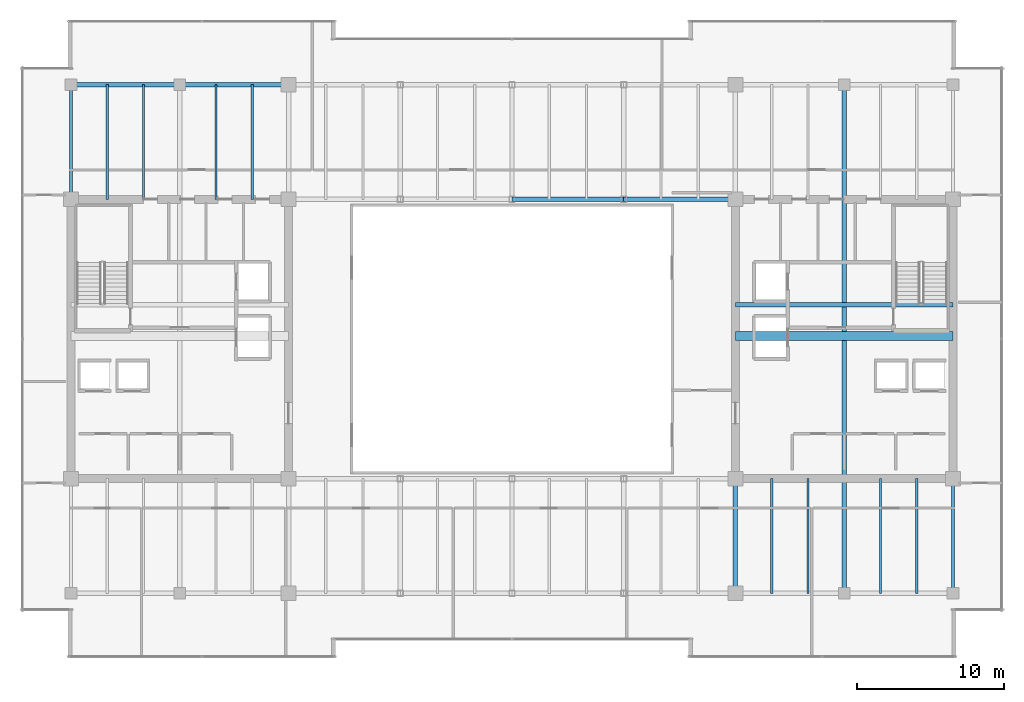
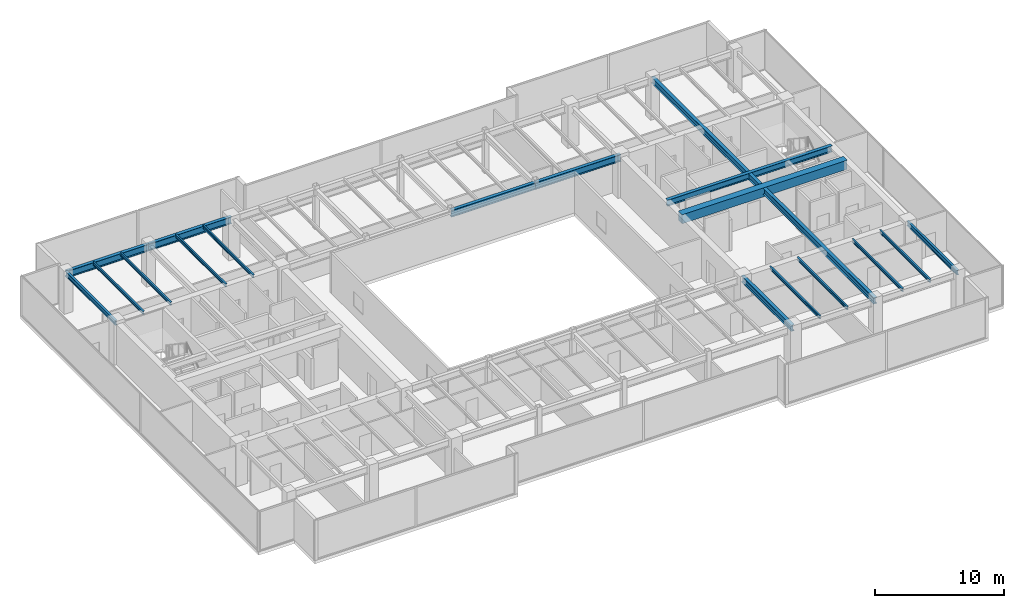
# One storey, part 14 of 33: 18 beams.
"""IFC4 building model written with IfcOpenShell, lengths in metres."""

from ifc_helpers import new_model, si_unit, direction, frame, origin, origin_2d, place, context, subcontext, project, spatial, rectangle, i_section, extrude, source, transform, mapped, material, material_profile, profile_set, type_object, type_shapes, element, save


model = new_model("IFC4")

# Units and contexts
model_context = context("Model", 3, precision=1e-05, world=origin(), true_north=direction((0.0, 1.0)))
body_context = subcontext(model_context, "Body", "Model", "MODEL_VIEW")
ifc_project = project(units=[si_unit("LENGTHUNIT", "METRE"), si_unit("AREAUNIT", "SQUARE_METRE"), si_unit("VOLUMEUNIT", "CUBIC_METRE"), si_unit("PLANEANGLEUNIT", "RADIAN"), si_unit("MASSUNIT", "GRAM", prefix="KILO")], contexts=[model_context])

# Site, building, storey
site_placement = place(None, origin())
site = spatial("IfcSite", under=ifc_project, at=site_placement, CompositionType="ELEMENT")
building_placement = place(site_placement, origin())
building = spatial("IfcBuilding", under=site, at=building_placement, Name="Haelvirn Gate Laboratories", CompositionType="ELEMENT")
storey_placement = place(building_placement, frame((0.0, 0.0, 209.60009765625)))
storey = spatial("IfcBuildingStorey", under=building, at=storey_placement, Name="L50", CompositionType="ELEMENT", Elevation=209.60009765625)

# Beams
ifc_material_1 = material(Name="Steel SM355", Category="steel")
ifc_material_profile_1 = material_profile(ifc_material_1, i_section(OverallWidth=0.300048828125, OverallDepth=0.587890625, WebThickness=0.011962890625, FlangeThickness=0.02001953125, at=origin_2d()), Name="H-588x300x12x20")
ifc_profile_set_1 = profile_set([ifc_material_profile_1], Name="Steel SM355")
beam_type_1 = type_object("IfcBeamType", Name="BM-G-588", PredefinedType="BEAM", material=ifc_profile_set_1)
shared_shape_1 = source(origin(), body_context, "Body", "SweptSolid", [
    extrude(i_section(OverallWidth=0.300048828125, OverallDepth=0.587890625, WebThickness=0.011962890625, FlangeThickness=0.02001953125, at=origin_2d()), origin(), (0.0, 0.0, 1.0), 14.7998046875),
])
beam_1_placement = place(storey_placement, frame((52.60009765625, 26.6201171875, 3.505859375), z_axis=(1.0, 0.0, 0.0), x_axis=(0.0, 1.0, 0.0)))
element("IfcBeam", 1, at=beam_1_placement, inside=storey, type_object=beam_type_1, Name="L50 Stair ST2 Landing Header", PredefinedType="BEAM", context=body_context, shape_type="MappedRepresentation", body=[
    mapped(shared_shape_1, transform((0.0, 0.0, 0.0), scale=1.0)),
])
ifc_material_profile_2 = material_profile(ifc_material_1, i_section(OverallWidth=0.14990234375, OverallDepth=0.300048828125, WebThickness=0.006591796875, FlangeThickness=0.009033203125, at=origin_2d()), Name="H-300x150x6.5x9")
ifc_profile_set_2 = profile_set([ifc_material_profile_2], Name="Steel SM355")
beam_type_2 = type_object("IfcBeamType", Name="BM-J-300", PredefinedType="JOIST", material=ifc_profile_set_2)
shared_shape_2 = source(origin(), body_context, "Body", "SweptSolid", [
    extrude(i_section(OverallWidth=0.14990234375, OverallDepth=0.300048828125, WebThickness=0.006591796875, FlangeThickness=0.009033203125, at=origin_2d()), origin(), (0.0, 0.0, 1.0), 7.800048828125),
])
type_shapes(beam_type_2, [shared_shape_2])
for number, where, z_axis, x_axis, name in (
    (2, (9.8701171875, 33.800048828125, 3.64990234375), (0.0, 1.0, 0.0), (-1.0, 0.0, 0.0), "L50 Composite Lab Joist North X9.87"),
    (3, (12.330078125, 33.800048828125, 3.64990234375), (0.0, 1.0, 0.0), (-1.0, 0.0, 0.0), "L50 Composite Lab Joist North X12.33"),
    (4, (17.27001953125, 33.800048828125, 3.64990234375), (0.0, 1.0, 0.0), (-1.0, 0.0, 0.0), "L50 Composite Lab Joist North X17.27"),
    (5, (19.72998046875, 33.800048828125, 3.64990234375), (0.0, 1.0, 0.0), (-1.0, 0.0, 0.0), "L50 Composite Lab Joist North X19.73"),
    (6, (55.070068359375, 7.0, 3.64990234375), (0.0, 1.0, 0.0), (-1.0, 0.0, 0.0), "L50 Composite Lab Joist South X55.07"),
    (7, (57.530029296875, 7.0, 3.64990234375), (0.0, 1.0, 0.0), (-1.0, 0.0, 0.0), "L50 Composite Lab Joist South X57.53"),
    (8, (62.469970703125, 7.0, 3.64990234375), (0.0, 1.0, 0.0), (-1.0, 0.0, 0.0), "L50 Composite Lab Joist South X62.47"),
    (9, (64.929931640625, 7.0, 3.64990234375), (0.0, 1.0, 0.0), (-1.0, 0.0, 0.0), "L50 Composite Lab Joist South X64.93"),
):
    element("IfcBeam", number, at=place(storey_placement, frame(where, z_axis=z_axis, x_axis=x_axis)), inside=storey, type_object=beam_type_2, Name=name, PredefinedType="JOIST", context=body_context, shape_type="MappedRepresentation", body=[
        mapped(shared_shape_2, transform((0.0, 0.0, 0.0), scale=1.0)),
    ])
shared_shape_3 = source(origin(), body_context, "Body", "SweptSolid", [
    extrude(i_section(OverallWidth=0.300048828125, OverallDepth=0.587890625, WebThickness=0.011962890625, FlangeThickness=0.02001953125, at=origin_2d()), origin(), (0.0, 0.0, 1.0), 34.60009765625),
])
beam_2_placement = place(storey_placement, frame((60.0, 7.0, 3.505859375), z_axis=(0.0, 1.0, 0.0), x_axis=(-1.0, 0.0, 0.0)))
element("IfcBeam", 10, at=beam_2_placement, inside=storey, type_object=beam_type_1, Name="L50 Frame Girder X60.0 (7.0-41.6)", PredefinedType="BEAM", context=body_context, shape_type="MappedRepresentation", body=[
    mapped(shared_shape_3, transform((0.0, 0.0, 0.0), scale=1.0)),
])
shared_shape_4 = source(origin(), body_context, "Body", "SweptSolid", [
    extrude(i_section(OverallWidth=0.300048828125, OverallDepth=0.587890625, WebThickness=0.011962890625, FlangeThickness=0.02001953125, at=origin_2d()), origin(), (0.0, 0.0, 1.0), 7.800048828125),
])
type_shapes(beam_type_1, [shared_shape_1, shared_shape_3, shared_shape_4])
beam_3_placement = place(storey_placement, frame((52.60009765625, 7.0, 3.505859375), z_axis=(0.0, 1.0, 0.0), x_axis=(-1.0, 0.0, 0.0)))
element("IfcBeam", 11, at=beam_3_placement, inside=storey, type_object=beam_type_1, Name="L50 Frame Girder X52.6 (7.0-14.8)", PredefinedType="BEAM", context=body_context, shape_type="MappedRepresentation", body=[
    mapped(shared_shape_4, transform((0.0, 0.0, 0.0), scale=1.0)),
])
ifc_material_2 = material(Name="Concrete C50/60", Category="concrete")
ifc_material_profile_3 = material_profile(ifc_material_2, rectangle(XDim=0.60009765625, YDim=0.85009765625, at=origin_2d()), Name="RCB-600x850")
ifc_profile_set_3 = profile_set([ifc_material_profile_3], Name="Concrete C50/60")
beam_type_3 = type_object("IfcBeamType", Name="BM-RCB-850", PredefinedType="LINTEL", material=ifc_profile_set_3)
shared_shape_5 = source(origin(), body_context, "Body", "SweptSolid", [
    extrude(rectangle(XDim=0.60009765625, YDim=0.85009765625, at=origin_2d()), origin(), (0.0, 0.0, 1.0), 14.7998046875),
])
type_shapes(beam_type_3, [shared_shape_5])
beam_4_placement = place(storey_placement, frame((52.60009765625, 24.5, 3.375), z_axis=(1.0, 0.0, 0.0), x_axis=(0.0, 1.0, 0.0)))
element("IfcBeam", 12, at=beam_4_placement, inside=storey, type_object=beam_type_3, Name="L50 East Core Coupling Beam", PredefinedType="LINTEL", context=body_context, shape_type="MappedRepresentation", body=[
    mapped(shared_shape_5, transform((0.0, 0.0, 0.0), scale=1.0)),
])
ifc_material_profile_4 = material_profile(ifc_material_1, i_section(OverallWidth=0.300048828125, OverallDepth=0.64990234375, WebThickness=0.012939453125, FlangeThickness=0.02197265625, at=origin_2d()), Name="H-650x300x13x22")
ifc_profile_set_4 = profile_set([ifc_material_profile_4], Name="Steel SM355")
beam_type_4 = type_object("IfcBeamType", Name="BM-G-650", PredefinedType="BEAM", material=ifc_profile_set_4)
shared_shape_6 = source(origin(), body_context, "Body", "SweptSolid", [
    extrude(i_section(OverallWidth=0.300048828125, OverallDepth=0.64990234375, WebThickness=0.012939453125, FlangeThickness=0.02197265625, at=origin_2d()), origin(), (0.0, 0.0, 1.0), 7.400146484375),
])
beam_5_placement = place(storey_placement, frame((7.39990234375, 41.60009765625, 3.474853515625), z_axis=(1.0, 0.0, 0.0), x_axis=(0.0, 1.0, 0.0)))
element("IfcBeam", 13, at=beam_5_placement, inside=storey, type_object=beam_type_4, Name="L50 Primary Girder Y41.6 (7.4-14.8)", PredefinedType="BEAM", context=body_context, shape_type="MappedRepresentation", body=[
    mapped(shared_shape_6, transform((0.0, 0.0, 0.0), scale=1.0)),
])
shared_shape_7 = source(origin(), body_context, "Body", "SweptSolid", [
    extrude(i_section(OverallWidth=0.300048828125, OverallDepth=0.64990234375, WebThickness=0.012939453125, FlangeThickness=0.02197265625, at=origin_2d()), origin(), (0.0, 0.0, 1.0), 7.39990234375),
])
beam_6_placement = place(storey_placement, frame((14.800048828125, 41.60009765625, 3.474853515625), z_axis=(1.0, 0.0, 0.0), x_axis=(0.0, 1.0, 0.0)))
element("IfcBeam", 14, at=beam_6_placement, inside=storey, type_object=beam_type_4, Name="L50 Primary Girder Y41.6 (14.8-22.2)", PredefinedType="BEAM", context=body_context, shape_type="MappedRepresentation", body=[
    mapped(shared_shape_7, transform((0.0, 0.0, 0.0), scale=1.0)),
])
shared_shape_8 = source(origin(), body_context, "Body", "SweptSolid", [
    extrude(i_section(OverallWidth=0.300048828125, OverallDepth=0.64990234375, WebThickness=0.012939453125, FlangeThickness=0.02197265625, at=origin_2d()), origin(), (0.0, 0.0, 1.0), 7.60009765625),
])
type_shapes(beam_type_4, [shared_shape_6, shared_shape_7, shared_shape_8])
for number, where, z_axis, x_axis, name in (
    (15, (37.39990234375, 33.800048828125, 3.474853515625), (1.0, 0.0, 0.0), (0.0, 1.0, 0.0), "L50 Primary Girder Y33.8 (37.4-45.0)"),
    (16, (45.0, 33.800048828125, 3.474853515625), (1.0, 0.0, 0.0), (0.0, 1.0, 0.0), "L50 Primary Girder Y33.8 (45.0-52.6)"),
):
    element("IfcBeam", number, at=place(storey_placement, frame(where, z_axis=z_axis, x_axis=x_axis)), inside=storey, type_object=beam_type_4, Name=name, PredefinedType="BEAM", context=body_context, shape_type="MappedRepresentation", body=[
        mapped(shared_shape_8, transform((0.0, 0.0, 0.0), scale=1.0)),
    ])
ifc_material_profile_5 = material_profile(ifc_material_1, i_section(OverallWidth=0.199951171875, OverallDepth=0.449951171875, WebThickness=0.009033203125, FlangeThickness=0.013916015625, at=origin_2d()), Name="H-450x200x9x14")
ifc_profile_set_5 = profile_set([ifc_material_profile_5], Name="Steel SM355")
beam_type_5 = type_object("IfcBeamType", Name="BM-SP-450", PredefinedType="SPANDREL", material=ifc_profile_set_5)
shared_shape_9 = source(origin(), body_context, "Body", "SweptSolid", [
    extrude(i_section(OverallWidth=0.199951171875, OverallDepth=0.449951171875, WebThickness=0.009033203125, FlangeThickness=0.013916015625, at=origin_2d()), origin(), (0.0, 0.0, 1.0), 7.800048828125),
])
type_shapes(beam_type_5, [shared_shape_9])
for number, where, z_axis, x_axis, name in (
    (17, (7.39990234375, 33.800048828125, 3.574951171875), (0.0, 1.0, 0.0), (-1.0, 0.0, 0.0), "L50 Perimeter Spandrel X7.4 (33.8-41.6)"),
    (18, (67.39990234375, 7.0, 3.574951171875), (0.0, 1.0, 0.0), (-1.0, 0.0, 0.0), "L50 Perimeter Spandrel X67.4 (7.0-14.8)"),
):
    element("IfcBeam", number, at=place(storey_placement, frame(where, z_axis=z_axis, x_axis=x_axis)), inside=storey, type_object=beam_type_5, Name=name, PredefinedType="SPANDREL", context=body_context, shape_type="MappedRepresentation", body=[
        mapped(shared_shape_9, transform((0.0, 0.0, 0.0), scale=1.0)),
    ])

save(model, "model.ifc")
